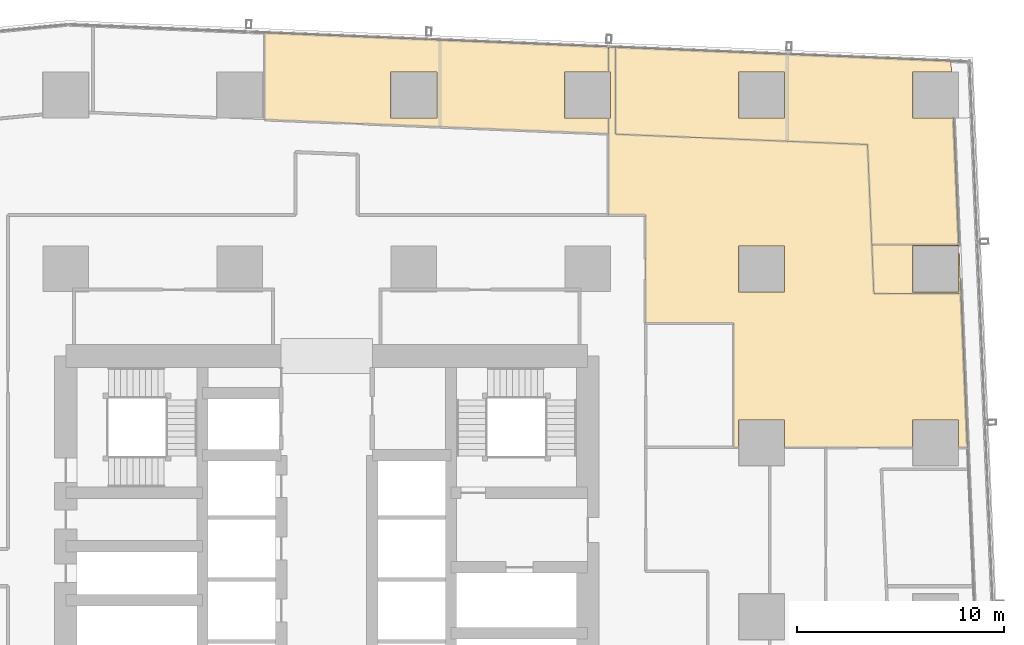
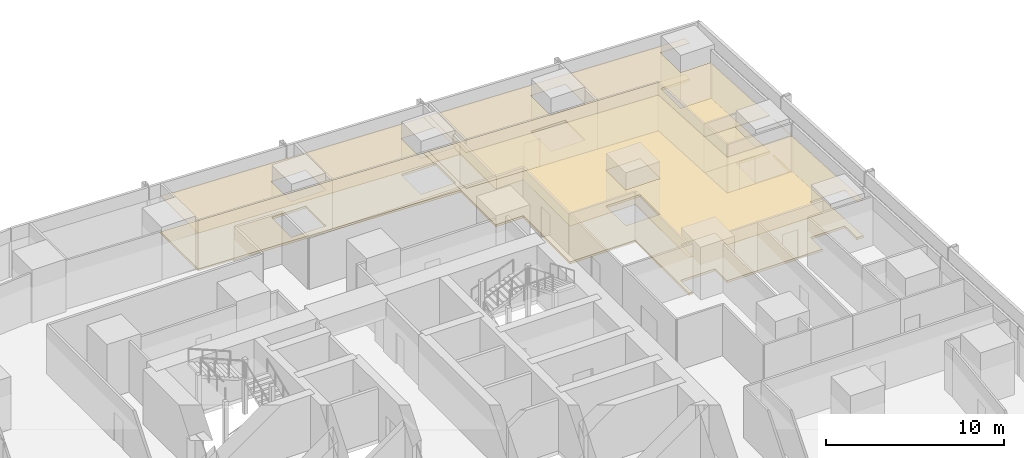
# One storey, part 45 of 45: 8 coverings.
"""IFC4 building model written with IfcOpenShell, lengths in metres."""

import ifcopenshell
import ifcopenshell.guid

model = None  # the IFC model being written
_history = None  # IfcOwnerHistory: only IFC2X3 demands one
_inside = {}  # id of a spatial element -> (the spatial element, [elements in it])
_under = {}  # id of a project, library or spatial element -> (it, [spatial elements below it])
_declared = {}  # id of a project -> (the project, [libraries it declares])
_typed = {}  # id of a type object -> (the type object, [elements of that type])
_made_of = {}  # id of a material, layer set ... -> (it, [elements and type objects made of it])


def new_model(schema):
    """Start an empty IFC model of exactly this schema.

    Asked for "IFC4X3", IfcOpenShell would pick the latest addendum, in which some entities
    have other attributes; the version numbers below select the first issue.
    IFC2X3 requires an IfcOwnerHistory on every rooted entity: one is made here for all.
    """
    global model, _history
    if schema == "IFC4X3":
        model = ifcopenshell.file(schema_version=(4, 3, 0, 0))
    else:
        model = ifcopenshell.file(schema=schema)
    _inside.clear()
    _under.clear()
    _declared.clear()
    _typed.clear()
    _made_of.clear()
    _history = None
    if model.schema == "IFC2X3":
        org = make("IfcOrganization", Name="unknown")
        user = make(
            "IfcPersonAndOrganization",
            ThePerson=make("IfcPerson", FamilyName="unknown"),
            TheOrganization=org,
        )
        app = make(
            "IfcApplication",
            ApplicationDeveloper=org,
            Version="unknown",
            ApplicationFullName="unknown",
            ApplicationIdentifier="unknown",
        )
        _history = make(
            "IfcOwnerHistory",
            OwningUser=user,
            OwningApplication=app,
            ChangeAction="ADDED",
            CreationDate=0,
        )
    return model


def make(cls, **values):
    """One entity of the class cls with the attributes given. An attribute that is None is left unset."""
    return model.create_entity(
        cls, **{name: value for name, value in values.items() if value is not None}
    )


def rooted(cls, **values):
    """An entity with a GlobalId (a new one), such as an element, a storey or a relation."""
    return make(cls, GlobalId=ifcopenshell.guid.new(), OwnerHistory=_history, **values)


def si_unit(unit_type, name, prefix=None):
    """IfcSIUnit, for example si_unit("LENGTHUNIT", "METRE", prefix="MILLI")."""
    return make("IfcSIUnit", UnitType=unit_type, Prefix=prefix, Name=name)


def assignment(units):
    """IfcUnitAssignment: the units of a project."""
    return None if units is None else make("IfcUnitAssignment", Units=units)


def point(xyz):
    """IfcCartesianPoint."""
    return None if xyz is None else make("IfcCartesianPoint", Coordinates=xyz)


def direction(xyz):
    """IfcDirection."""
    return None if xyz is None else make("IfcDirection", DirectionRatios=xyz)


def frame(location, z_axis=None, x_axis=None):
    """IfcAxis2Placement3D, a coordinate frame: its origin and axes. An axis left out is left unset."""
    return make(
        "IfcAxis2Placement3D",
        Location=point(location),
        Axis=direction(z_axis),
        RefDirection=direction(x_axis),
    )


def origin():
    """The frame at (0, 0, 0) with its axes left unset."""
    return frame((0.0, 0.0, 0.0))


def place(relative_to, where):
    """IfcLocalPlacement: puts the frame where relative to a parent placement (None: the world)."""
    return make(
        "IfcLocalPlacement", PlacementRelTo=relative_to, RelativePlacement=where
    )


def context(
    kind, dimensions, precision=None, world=None, true_north=None, identifier=None
):
    """IfcGeometricRepresentationContext, for example the 3D "Model" context."""
    return make(
        "IfcGeometricRepresentationContext",
        ContextIdentifier=identifier,
        ContextType=kind,
        CoordinateSpaceDimension=dimensions,
        Precision=precision,
        WorldCoordinateSystem=world,
        TrueNorth=true_north,
    )


def subcontext(parent, identifier, kind, view, scale=None):
    """IfcGeometricRepresentationSubContext, for example "Body" below "Model"."""
    return make(
        "IfcGeometricRepresentationSubContext",
        ContextIdentifier=identifier,
        ContextType=kind,
        ParentContext=parent,
        TargetScale=scale,
        TargetView=view,
    )


def project(units=None, contexts=None):
    """IfcProject with its units and contexts."""
    return rooted(
        "IfcProject",
        Name="project",
        RepresentationContexts=contexts,
        UnitsInContext=assignment(units),
    )


def spatial(cls, under=None, at=None, **own):
    """A site, building, storey or space (cls), placed at a placement, below another one or the project."""
    s = rooted(cls, ObjectPlacement=at, **own)
    if under is not None:
        _under.setdefault(under.id(), (under, []))[1].append(s)
    return s


def polyline(points):
    """IfcPolyline through the points."""
    return make("IfcPolyline", Points=[point(p) for p in points])


def outline(outer, holes=None, kind="AREA"):
    """IfcArbitraryClosedProfileDef: a profile drawn as a closed curve; with holes, ...WithVoids."""
    if holes is None:
        return make("IfcArbitraryClosedProfileDef", ProfileType=kind, OuterCurve=outer)
    return make(
        "IfcArbitraryProfileDefWithVoids",
        ProfileType=kind,
        OuterCurve=outer,
        InnerCurves=holes,
    )


def extrude(swept, where, along, depth):
    """IfcExtrudedAreaSolid: the profile swept, set in the frame where, extruded along a direction by depth."""
    return make(
        "IfcExtrudedAreaSolid",
        SweptArea=swept,
        Position=where,
        ExtrudedDirection=direction(along),
        Depth=depth,
    )


def shape(context_of_items, identifier, shape_type, items):
    """IfcShapeRepresentation: the items that make up one representation, for example the "Body"."""
    return make(
        "IfcShapeRepresentation",
        ContextOfItems=context_of_items,
        RepresentationIdentifier=identifier,
        RepresentationType=shape_type,
        Items=items,
    )


def material(Name=None, Category=None):
    """IfcMaterial."""
    return make("IfcMaterial", Name=Name, Category=Category)


def layer(
    of_material, thickness, ventilated=None, Name=None, Category=None, Priority=None
):
    """IfcMaterialLayer: one layer of a wall or slab, of a material (None: an air gap)."""
    return make(
        "IfcMaterialLayer",
        Material=of_material,
        LayerThickness=thickness,
        IsVentilated=ventilated,
        Name=Name,
        Category=Category,
        Priority=Priority,
    )


def layer_set(layers, Name=None):
    """IfcMaterialLayerSet."""
    return make("IfcMaterialLayerSet", MaterialLayers=layers, LayerSetName=Name)


def made_of(thing, what):
    """Note that an element or type object is made of a material, layer set ...; save() writes the relation."""
    if what is not None:
        _made_of.setdefault(what.id(), (what, []))[1].append(thing)
    return thing


def type_object(cls, material=None, **own):
    """A type object (cls), such as IfcWallType, which elements share."""
    return made_of(rooted(cls, **own), material)


def element(
    cls,
    number,
    at=None,
    inside=None,
    cuts=None,
    type_object=None,
    material=None,
    context=None,
    identifier="Body",
    shape_type=None,
    held_by="IfcProductDefinitionShape",
    body=None,
    shapes=None,
    **own,
):
    """One element of the class cls, such as IfcWall. Its Tag is "e" and its number.

    at: its placement. inside: the storey or other place that contains it. cuts: it is an
    opening in that element (IfcRelVoidsElement). A single representation is given by context,
    identifier, shape_type and body (its items); several are given by shapes. held_by: the class
    of the entity that holds the representations. save() writes the other relations.
    """
    e = rooted(cls, Tag="e%d" % number, ObjectPlacement=at, **own)
    if body is not None:
        shapes = [shape(context, identifier, shape_type, body)]
    if shapes is not None:
        e.Representation = make(held_by, Representations=shapes)
    if inside is not None:
        _inside.setdefault(inside.id(), (inside, []))[1].append(e)
    if cuts is not None:
        rooted(
            "IfcRelVoidsElement", RelatingBuildingElement=cuts, RelatedOpeningElement=e
        )
    if type_object is not None:
        _typed.setdefault(type_object.id(), (type_object, []))[1].append(e)
    return made_of(e, material)


def aggregate(whole, parts):
    """IfcRelAggregates: a whole, such as a stair, and the parts it consists of."""
    return rooted("IfcRelAggregates", RelatingObject=whole, RelatedObjects=parts)


def save(model, path):
    """Write the relations noted so far, then the file.

    IfcRelAggregates (storeys below a building ...), IfcRelContainedInSpatialStructure (elements
    in a storey), IfcRelDefinesByType, IfcRelAssociatesMaterial and IfcRelDeclares: one each for
    every whole, place, type object, material and project.
    """
    for whole, parts in _under.values():
        aggregate(whole, parts)
    for where, things in _inside.values():
        rooted(
            "IfcRelContainedInSpatialStructure",
            RelatedElements=things,
            RelatingStructure=where,
        )
    for kind, things in _typed.values():
        rooted("IfcRelDefinesByType", RelatedObjects=things, RelatingType=kind)
    for what, things in _made_of.values():
        rooted("IfcRelAssociatesMaterial", RelatedObjects=things, RelatingMaterial=what)
    for by, libraries in _declared.values():
        rooted("IfcRelDeclares", RelatingContext=by, RelatedDefinitions=libraries)
    model.write(path)


model = new_model("IFC4")

# Units and contexts
model_context = context("Model", 3, precision=1e-05, world=origin(), true_north=direction((0.0, 1.0)))
body_context = subcontext(model_context, "Body", "Model", "MODEL_VIEW")
ifc_project = project(units=[si_unit("LENGTHUNIT", "METRE"), si_unit("AREAUNIT", "SQUARE_METRE"), si_unit("VOLUMEUNIT", "CUBIC_METRE"), si_unit("PLANEANGLEUNIT", "RADIAN"), si_unit("MASSUNIT", "GRAM", prefix="KILO")], contexts=[model_context])

# Site, building, storey
site_placement = place(None, origin())
site = spatial("IfcSite", under=ifc_project, at=site_placement, CompositionType="ELEMENT")
building_placement = place(site_placement, origin())
building = spatial("IfcBuilding", under=site, at=building_placement, Name="Rekha Terrace Tower", CompositionType="ELEMENT")
storey_placement = place(building_placement, frame((0.0, 0.0, 44.14990234375)))
storey = spatial("IfcBuildingStorey", under=building, at=storey_placement, Name="L10", CompositionType="ELEMENT", Elevation=44.14990234375)

# Coverings
ifc_material_1 = material(Name="Mineral fibre tile in exposed grid", Category="finish")
ifc_layer_1 = layer(ifc_material_1, 0.02001953125)
ifc_layer_set_1 = layer_set([ifc_layer_1], Name="Mineral fibre tile in exposed grid")
covering_type_1 = type_object("IfcCoveringType", Name="CL1 600x1200 office grid ceiling", PredefinedType="CEILING", material=ifc_layer_set_1)
covering_1_placement = place(storey_placement, frame((0.0, 0.0, 2.580078125)))
element("IfcCovering", 1, at=covering_1_placement, inside=storey, type_object=covering_type_1, Name="Ceiling L10-09", PredefinedType="CEILING", context=body_context, shape_type="SweptSolid", body=[
    extrude(outline(polyline([(68.31494140625, 49.284912109375), (66.0849609375, 49.284912109375), (66.0849609375, 51.514892578125), (68.327880859375, 51.514892578125), (68.325927734375, 51.555908203125), (64.1220703125, 51.555908203125), (64.221923828125, 49.202880859375), (68.426025390625, 49.202880859375), (68.342041015625, 51.18408203125), (68.31494140625, 51.18310546875), (68.31494140625, 49.284912109375)])), origin(), (0.0, 0.0, 1.0), 0.02001953125),
])
covering_2_placement = place(storey_placement, frame((0.0, 0.0, 2.580078125)))
element("IfcCovering", 2, at=covering_2_placement, inside=storey, type_object=covering_type_1, Name="Ceiling L10-10", PredefinedType="CEILING", context=body_context, shape_type="SweptSolid", body=[
    extrude(outline(polyline([(67.946044921875, 60.443115234375), (60.037109375, 60.76904296875), (51.74609375, 61.111083984375), (51.74609375, 56.906982421875), (60.0400390625, 56.56494140625), (63.9150390625, 56.406005859375), (64.1220703125, 51.556884765625), (68.325927734375, 51.556884765625), (68.06396484375, 57.68505859375), (66.0849609375, 57.68505859375), (66.0849609375, 59.9150390625), (67.968994140625, 59.9150390625), (67.946044921875, 60.443115234375)]), holes=[polyline([(59.9150390625, 57.68505859375), (57.68505859375, 57.68505859375), (57.68505859375, 59.9150390625), (59.9150390625, 59.9150390625), (59.9150390625, 57.68505859375)])]), origin(), (0.0, 0.0, 1.0), 0.02001953125),
])
covering_3_placement = place(storey_placement, frame((0.0, 0.0, 2.580078125)))
element("IfcCovering", 3, at=covering_3_placement, inside=storey, type_object=covering_type_1, Name="Ceiling L10-O3", PredefinedType="CEILING", context=body_context, shape_type="SweptSolid", body=[
    extrude(outline(polyline([(53.199951171875, 53.0), (53.199951171875, 47.781982421875), (57.449951171875, 47.781982421875), (57.449951171875, 41.781982421875), (57.68505859375, 41.781982421875), (57.68505859375, 43.114990234375), (59.9150390625, 43.114990234375), (59.9150390625, 41.781982421875), (66.0849609375, 41.781982421875), (66.0849609375, 43.114990234375), (68.31494140625, 43.114990234375), (68.31494140625, 41.781982421875), (68.742919921875, 41.781982421875), (68.426025390625, 49.202880859375), (64.221923828125, 49.202880859375), (64.12109375, 51.572021484375), (63.9150390625, 56.406005859375), (60.0380859375, 56.56494140625), (51.74609375, 56.906982421875), (51.74609375, 61.111083984375), (51.416015625, 61.1240234375), (51.416015625, 59.9150390625), (51.514892578125, 59.9150390625), (51.514892578125, 57.68505859375), (51.416015625, 57.68505859375), (51.416015625, 53.0), (53.199951171875, 53.0)]), holes=[polyline([(59.9150390625, 49.284912109375), (57.68505859375, 49.284912109375), (57.68505859375, 51.514892578125), (59.9150390625, 51.514892578125), (59.9150390625, 49.284912109375)])]), origin(), (0.0, 0.0, 1.0), 0.02001953125),
])
covering_4_placement = place(storey_placement, frame((0.0, 0.0, 2.580078125)))
element("IfcCovering", 4, at=covering_4_placement, inside=storey, type_object=covering_type_1, Name="Ceiling L10-12", PredefinedType="CEILING", context=body_context, shape_type="SweptSolid", body=[
    extrude(outline(polyline([(51.4150390625, 61.125), (43.27099609375, 61.4599609375), (34.801025390625, 61.80908203125), (34.801025390625, 57.60595703125), (43.27392578125, 57.257080078125), (51.4150390625, 56.9208984375), (51.4150390625, 57.68505859375), (49.284912109375, 57.68505859375), (49.284912109375, 59.9150390625), (51.4150390625, 59.9150390625), (51.4150390625, 61.125)]), holes=[polyline([(43.114990234375, 57.68505859375), (40.885009765625, 57.68505859375), (40.885009765625, 59.9150390625), (43.114990234375, 59.9150390625), (43.114990234375, 57.68505859375)])]), origin(), (0.0, 0.0, 1.0), 0.02001953125),
])
ifc_material_2 = material(Name="Calcium sulphate panels on steel pedestals", Category="steel")
ifc_layer_2 = layer(ifc_material_2, 0.14990234375)
ifc_layer_set_2 = layer_set([ifc_layer_2], Name="Calcium sulphate panels on steel pedestals")
covering_type_2 = type_object("IfcCoveringType", Name="RF1 150 raised access floor", PredefinedType="FLOORING", material=ifc_layer_set_2)
covering_5_placement = place(storey_placement, origin())
element("IfcCovering", 5, at=covering_5_placement, inside=storey, type_object=covering_type_2, Name="Raised floor L10-09", PredefinedType="FLOORING", context=body_context, shape_type="SweptSolid", body=[
    extrude(outline(polyline([(68.31494140625, 49.284912109375), (66.0849609375, 49.284912109375), (66.0849609375, 51.514892578125), (68.327880859375, 51.514892578125), (68.325927734375, 51.555908203125), (64.1220703125, 51.555908203125), (64.221923828125, 49.202880859375), (68.426025390625, 49.202880859375), (68.342041015625, 51.18408203125), (68.31494140625, 51.18310546875), (68.31494140625, 49.284912109375)])), origin(), (0.0, 0.0, 1.0), 0.150146484375),
])
covering_6_placement = place(storey_placement, origin())
element("IfcCovering", 6, at=covering_6_placement, inside=storey, type_object=covering_type_2, Name="Raised floor L10-10", PredefinedType="FLOORING", context=body_context, shape_type="SweptSolid", body=[
    extrude(outline(polyline([(67.946044921875, 60.443115234375), (60.037109375, 60.76904296875), (51.74609375, 61.111083984375), (51.74609375, 56.906982421875), (60.0400390625, 56.56494140625), (63.9150390625, 56.406005859375), (64.1220703125, 51.556884765625), (68.325927734375, 51.556884765625), (68.06396484375, 57.68505859375), (66.0849609375, 57.68505859375), (66.0849609375, 59.9150390625), (67.968994140625, 59.9150390625), (67.946044921875, 60.443115234375)]), holes=[polyline([(59.9150390625, 57.68505859375), (57.68505859375, 57.68505859375), (57.68505859375, 59.9150390625), (59.9150390625, 59.9150390625), (59.9150390625, 57.68505859375)])]), origin(), (0.0, 0.0, 1.0), 0.150146484375),
])
covering_7_placement = place(storey_placement, origin())
element("IfcCovering", 7, at=covering_7_placement, inside=storey, type_object=covering_type_2, Name="Raised floor L10-O3", PredefinedType="FLOORING", context=body_context, shape_type="SweptSolid", body=[
    extrude(outline(polyline([(53.199951171875, 53.0), (53.199951171875, 47.781982421875), (57.449951171875, 47.781982421875), (57.449951171875, 41.781982421875), (57.68505859375, 41.781982421875), (57.68505859375, 43.114990234375), (59.9150390625, 43.114990234375), (59.9150390625, 41.781982421875), (66.0849609375, 41.781982421875), (66.0849609375, 43.114990234375), (68.31494140625, 43.114990234375), (68.31494140625, 41.781982421875), (68.742919921875, 41.781982421875), (68.426025390625, 49.202880859375), (64.221923828125, 49.202880859375), (64.12109375, 51.572021484375), (63.9150390625, 56.406005859375), (60.0380859375, 56.56494140625), (51.74609375, 56.906982421875), (51.74609375, 61.111083984375), (51.416015625, 61.1240234375), (51.416015625, 59.9150390625), (51.514892578125, 59.9150390625), (51.514892578125, 57.68505859375), (51.416015625, 57.68505859375), (51.416015625, 53.0), (53.199951171875, 53.0)]), holes=[polyline([(59.9150390625, 49.284912109375), (57.68505859375, 49.284912109375), (57.68505859375, 51.514892578125), (59.9150390625, 51.514892578125), (59.9150390625, 49.284912109375)])]), origin(), (0.0, 0.0, 1.0), 0.150146484375),
])
covering_8_placement = place(storey_placement, origin())
element("IfcCovering", 8, at=covering_8_placement, inside=storey, type_object=covering_type_2, Name="Raised floor L10-12", PredefinedType="FLOORING", context=body_context, shape_type="SweptSolid", body=[
    extrude(outline(polyline([(51.4150390625, 61.125), (43.27099609375, 61.4599609375), (34.801025390625, 61.80908203125), (34.801025390625, 57.60595703125), (43.27392578125, 57.257080078125), (51.4150390625, 56.9208984375), (51.4150390625, 57.68505859375), (49.284912109375, 57.68505859375), (49.284912109375, 59.9150390625), (51.4150390625, 59.9150390625), (51.4150390625, 61.125)]), holes=[polyline([(43.114990234375, 57.68505859375), (40.885009765625, 57.68505859375), (40.885009765625, 59.9150390625), (43.114990234375, 59.9150390625), (43.114990234375, 57.68505859375)])]), origin(), (0.0, 0.0, 1.0), 0.150146484375),
])

save(model, "model.ifc")
